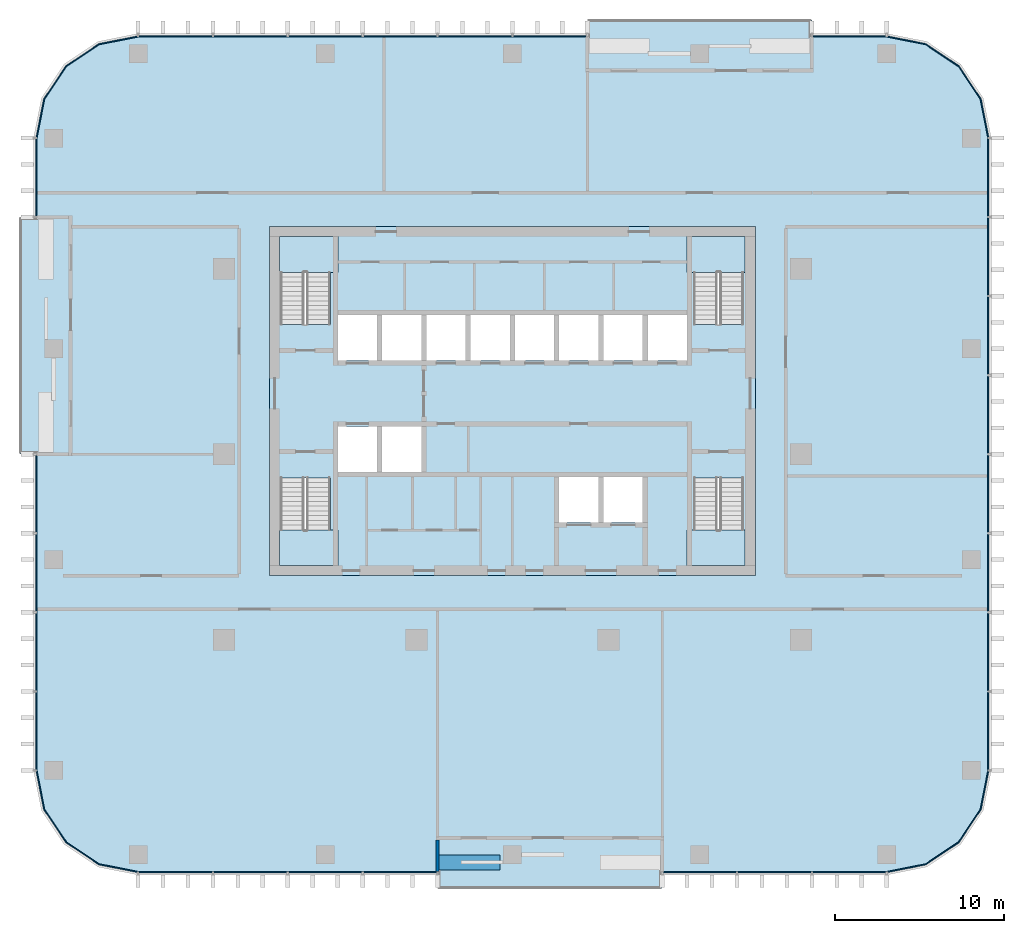
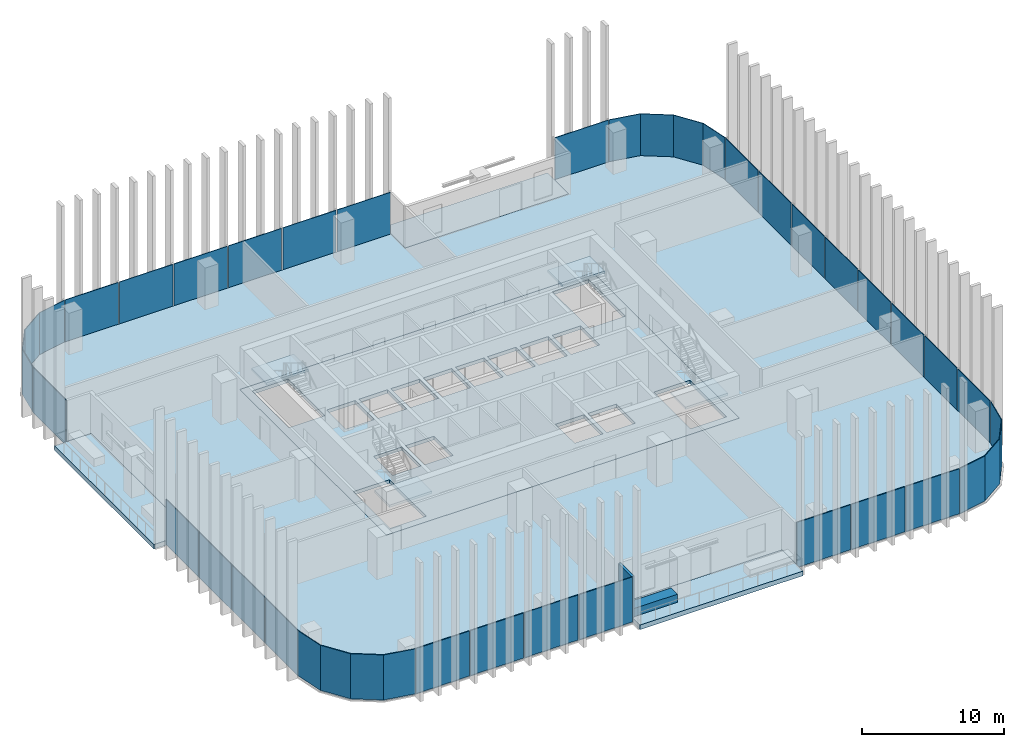
# One storey, part 6 of 16: 31 plates, 9 slabs, 2 walls, 15 elements without a shape of their own.
"""IFC4 building model written with IfcOpenShell, lengths in metres."""

from ifc_helpers import new_model, si_unit, direction, frame, frame_2d, origin, origin_2d, place, context, subcontext, project, spatial, polyline, rectangle, outline, extrude, material, layer, layer_set, type_object, element, aggregate, save


model = new_model("IFC4")

# Units and contexts
model_context = context("Model", 3, precision=1e-05, world=origin(), true_north=direction((0.0, 1.0)))
body_context = subcontext(model_context, "Body", "Model", "MODEL_VIEW")
ifc_project = project(units=[si_unit("LENGTHUNIT", "METRE"), si_unit("AREAUNIT", "SQUARE_METRE"), si_unit("VOLUMEUNIT", "CUBIC_METRE"), si_unit("PLANEANGLEUNIT", "RADIAN"), si_unit("MASSUNIT", "GRAM", prefix="KILO")], contexts=[model_context])

# Site, building, storey
site_placement = place(None, origin())
site = spatial("IfcSite", under=ifc_project, at=site_placement, CompositionType="ELEMENT")
building_placement = place(site_placement, origin())
building = spatial("IfcBuilding", under=site, at=building_placement, Name="Mopane Tessera Tower", CompositionType="ELEMENT")
storey_placement = place(building_placement, frame((0.0, 0.0, 235.0)))
storey = spatial("IfcBuildingStorey", under=building, at=storey_placement, Name="L50", CompositionType="ELEMENT", Elevation=235.0)

# Slab
ifc_material_1 = material(Name="Concrete C40/50", Category="concrete")
ifc_layer_1 = layer(ifc_material_1, 0.300048828125)
ifc_layer_set_1 = layer_set([ifc_layer_1], Name="Concrete C40/50")
slab_type_1 = type_object("IfcSlabType", Name="Core floor slab 300 mm", PredefinedType="FLOOR", material=ifc_layer_set_1)
slab_1_placement = place(storey_placement, frame((0.0, 0.0, -0.300048828125)))
element("IfcSlab", 1, at=slab_1_placement, inside=storey, type_object=slab_type_1, Name="L50 core floor slab", PredefinedType="FLOOR", context=body_context, shape_type="SweptSolid", body=[
    extrude(outline(polyline([(-14.39990234375, -7.199951171875), (14.39990234375, -7.199951171875), (14.39990234375, 13.5), (-14.39990234375, 13.5), (-14.39990234375, -7.199951171875)]), holes=[polyline([(-10.35009765625, -1.050048828125), (-8.02490234375, -1.050048828125), (-8.02490234375, 1.64990234375), (-10.35009765625, 1.64990234375), (-10.35009765625, -1.050048828125)]), polyline([(-7.72509765625, -1.050048828125), (-5.39990234375, -1.050048828125), (-5.39990234375, 1.64990234375), (-7.72509765625, 1.64990234375), (-7.72509765625, -1.050048828125)]), polyline([(-10.35009765625, 5.550048828125), (-8.02490234375, 5.550048828125), (-8.02490234375, 8.25), (-10.35009765625, 8.25), (-10.35009765625, 5.550048828125)]), polyline([(-7.72509765625, 5.550048828125), (-5.39990234375, 5.550048828125), (-5.39990234375, 8.25), (-7.72509765625, 8.25), (-7.72509765625, 5.550048828125)]), polyline([(-5.10009765625, 5.550048828125), (-2.77490234375, 5.550048828125), (-2.77490234375, 8.25), (-5.10009765625, 8.25), (-5.10009765625, 5.550048828125)]), polyline([(-2.47509765625, 5.550048828125), (-0.14990234375, 5.550048828125), (-0.14990234375, 8.25), (-2.47509765625, 8.25), (-2.47509765625, 5.550048828125)]), polyline([(0.14990234375, 5.550048828125), (2.47509765625, 5.550048828125), (2.47509765625, 8.25), (0.14990234375, 8.25), (0.14990234375, 5.550048828125)]), polyline([(2.77490234375, 5.550048828125), (5.10009765625, 5.550048828125), (5.10009765625, 8.25), (2.77490234375, 8.25), (2.77490234375, 5.550048828125)]), polyline([(5.39990234375, 5.550048828125), (7.72509765625, 5.550048828125), (7.72509765625, 8.25), (5.39990234375, 8.25), (5.39990234375, 5.550048828125)]), polyline([(8.02490234375, 5.550048828125), (10.35009765625, 5.550048828125), (10.35009765625, 8.25), (8.02490234375, 8.25), (8.02490234375, 5.550048828125)]), polyline([(2.77490234375, -4.050048828125), (5.10009765625, -4.050048828125), (5.10009765625, -1.35009765625), (2.77490234375, -1.35009765625), (2.77490234375, -4.050048828125)]), polyline([(5.39990234375, -4.050048828125), (7.72509765625, -4.050048828125), (7.72509765625, -1.35009765625), (5.39990234375, -1.35009765625), (5.39990234375, -4.050048828125)]), polyline([(-13.75, -1.405029296875), (-13.75, -6.60009765625), (-10.800048828125, -6.60009765625), (-10.800048828125, -1.405029296875), (-13.75, -1.405029296875)]), polyline([(-10.800048828125, 7.705078125), (-10.800048828125, 12.89990234375), (-13.75, 12.89990234375), (-13.75, 7.705078125), (-10.800048828125, 7.705078125)]), polyline([(10.75, -1.405029296875), (10.75, -6.60009765625), (13.699951171875, -6.60009765625), (13.699951171875, -1.405029296875), (10.75, -1.405029296875)]), polyline([(13.699951171875, 7.705078125), (13.699951171875, 12.89990234375), (10.75, 12.89990234375), (10.75, 7.705078125), (13.699951171875, 7.705078125)])]), origin(), (0.0, 0.0, 1.0), 0.300048828125),
])

# Stair, slab
ifc_material_2 = material(Name="Concrete C50/60", Category="concrete")
stair_type = type_object("IfcStairType", Name="Escape stair 1400 mm, riser 167 mm", PredefinedType="HALF_TURN_STAIR", material=ifc_material_2)
stair_1_placement = place(storey_placement, origin())
stair_1 = element("IfcStair", 2, at=stair_1_placement, inside=storey, type_object=stair_type, Name="L50 Escape stair south-west", PredefinedType="HALF_TURN_STAIR")
ifc_material_3 = material(Name="Concrete C50/60", Category="concrete")
ifc_layer_2 = layer(ifc_material_3, 0.199951171875)
ifc_layer_set_2 = layer_set([ifc_layer_2], Name="Concrete C50/60")
slab_type_2 = type_object("IfcSlabType", Name="Escape stair landing 200 mm", PredefinedType="LANDING", material=ifc_layer_set_2)
slab_2_placement = place(storey_placement, frame((0.0, 0.0, 1.800048828125)))
slab_2 = element("IfcSlab", 3, at=slab_2_placement, type_object=slab_type_2, Name="ST1 landing 1", PredefinedType="LANDING", context=body_context, shape_type="SweptSolid", body=[
    extrude(outline(polyline([(-13.800048828125, -4.47998046875), (-13.800048828125, -6.60009765625), (-10.35009765625, -6.60009765625), (-10.35009765625, -4.47998046875), (-13.800048828125, -4.47998046875)])), origin(), (0.0, 0.0, 1.0), 0.199951171875),
])
aggregate(stair_1, [slab_2])

stair_2_placement = place(storey_placement, origin())
stair_2 = element("IfcStair", 4, at=stair_2_placement, inside=storey, type_object=stair_type, Name="L50 Escape stair north-west", PredefinedType="HALF_TURN_STAIR")
slab_3_placement = place(storey_placement, frame((0.0, 0.0, 1.800048828125)))
slab_3 = element("IfcSlab", 5, at=slab_3_placement, type_object=slab_type_2, Name="ST2 landing 1", PredefinedType="LANDING", context=body_context, shape_type="SweptSolid", body=[
    extrude(outline(polyline([(-10.35009765625, 10.780029296875), (-10.35009765625, 12.89990234375), (-13.800048828125, 12.89990234375), (-13.800048828125, 10.780029296875), (-10.35009765625, 10.780029296875)])), origin(), (0.0, 0.0, 1.0), 0.199951171875),
])
aggregate(stair_2, [slab_3])

stair_3_placement = place(storey_placement, origin())
stair_3 = element("IfcStair", 6, at=stair_3_placement, inside=storey, type_object=stair_type, Name="L50 Escape stair south-east", PredefinedType="HALF_TURN_STAIR")
slab_4_placement = place(storey_placement, frame((0.0, 0.0, 1.800048828125)))
slab_4 = element("IfcSlab", 7, at=slab_4_placement, type_object=slab_type_2, Name="ST3 landing 1", PredefinedType="LANDING", context=body_context, shape_type="SweptSolid", body=[
    extrude(outline(polyline([(10.35009765625, -4.47998046875), (10.35009765625, -6.60009765625), (13.800048828125, -6.60009765625), (13.800048828125, -4.47998046875), (10.35009765625, -4.47998046875)])), origin(), (0.0, 0.0, 1.0), 0.199951171875),
])
aggregate(stair_3, [slab_4])

stair_4_placement = place(storey_placement, origin())
stair_4 = element("IfcStair", 8, at=stair_4_placement, inside=storey, type_object=stair_type, Name="L50 Escape stair north-east", PredefinedType="HALF_TURN_STAIR")
slab_5_placement = place(storey_placement, frame((0.0, 0.0, 1.800048828125)))
slab_5 = element("IfcSlab", 9, at=slab_5_placement, type_object=slab_type_2, Name="ST4 landing 1", PredefinedType="LANDING", context=body_context, shape_type="SweptSolid", body=[
    extrude(outline(polyline([(13.800048828125, 10.780029296875), (13.800048828125, 12.89990234375), (10.35009765625, 12.89990234375), (10.35009765625, 10.780029296875), (13.800048828125, 10.780029296875)])), origin(), (0.0, 0.0, 1.0), 0.199951171875),
])
aggregate(stair_4, [slab_5])

# Slabs
ifc_material_4 = material(Name="Concrete C40/50", Category="concrete")
ifc_layer_3 = layer(ifc_material_4, 0.39990234375)
ifc_layer_set_3 = layer_set([ifc_layer_3], Name="Concrete C40/50")
slab_type_3 = type_object("IfcSlabType", Name="Planted terrace slab 400 mm", PredefinedType="FLOOR", material=ifc_layer_set_3)
slab_6_placement = place(storey_placement, frame((0.0, 0.0, -0.39990234375)))
element("IfcSlab", 10, at=slab_6_placement, inside=storey, type_object=slab_type_3, Name="Terrace slab N1 L50", PredefinedType="FLOOR", context=body_context, shape_type="SweptSolid", body=[
    extrude(outline(polyline([(8.8798828125, -25.75), (8.8798828125, -22.75), (-4.43994140625, -22.75), (-4.43994140625, -25.75), (8.8798828125, -25.75)])), origin(), (0.0, 0.0, 1.0), 0.39990234375),
])
slab_7_placement = place(storey_placement, frame((0.0, 0.0, -0.39990234375)))
element("IfcSlab", 11, at=slab_7_placement, inside=storey, type_object=slab_type_3, Name="Terrace slab N2 L50", PredefinedType="FLOOR", context=body_context, shape_type="SweptSolid", body=[
    extrude(outline(polyline([(4.43994140625, 25.75), (4.43994140625, 22.75), (17.760009765625, 22.75), (17.760009765625, 25.75), (4.43994140625, 25.75)])), origin(), (0.0, 0.0, 1.0), 0.39990234375),
])
slab_8_placement = place(storey_placement, frame((0.0, 0.0, -0.39990234375)))
element("IfcSlab", 12, at=slab_8_placement, inside=storey, type_object=slab_type_3, Name="Terrace slab N3 L50", PredefinedType="FLOOR", context=body_context, shape_type="SweptSolid", body=[
    extrude(outline(polyline([(-29.199951171875, 0.0), (-26.199951171875, 0.0), (-26.199951171875, 14.0625), (-29.199951171875, 14.0625), (-29.199951171875, 0.0)])), origin(), (0.0, 0.0, 1.0), 0.39990234375),
])
ifc_material_5 = material(Name="Concrete C40/50", Category="concrete")
ifc_layer_4 = layer(ifc_material_5, 0.39990234375)
ifc_layer_set_4 = layer_set([ifc_layer_4], Name="Concrete C40/50")
slab_type_4 = type_object("IfcSlabType", Name="Post-tensioned flat plate 400 mm", PredefinedType="FLOOR", material=ifc_layer_set_4)
slab_9_placement = place(storey_placement, frame((0.0, 0.0, -0.39990234375)))
element("IfcSlab", 13, at=slab_9_placement, inside=storey, type_object=slab_type_4, Name="Floor slab L50", PredefinedType="FLOOR", context=body_context, shape_type="SweptSolid", body=[
    extrude(outline(polyline([(-22.199951171875, -24.75), (-4.43994140625, -24.75), (-4.43994140625, -22.75), (8.8798828125, -22.75), (8.8798828125, -24.75), (22.199951171875, -24.75), (24.49609375, -24.293212890625), (26.442626953125, -22.99267578125), (27.7431640625, -21.046142578125), (28.199951171875, -18.75), (28.199951171875, 18.75), (27.7431640625, 21.046142578125), (26.442626953125, 22.99267578125), (24.49609375, 24.293212890625), (22.199951171875, 24.75), (17.760009765625, 24.75), (17.760009765625, 22.75), (4.43994140625, 22.75), (4.43994140625, 24.75), (-22.199951171875, 24.75), (-24.49609375, 24.293212890625), (-26.442626953125, 22.99267578125), (-27.7431640625, 21.046142578125), (-28.199951171875, 18.75), (-28.199951171875, 14.0625), (-26.199951171875, 14.0625), (-26.199951171875, 0.0), (-28.199951171875, 0.0), (-28.199951171875, -18.75), (-27.7431640625, -21.046142578125), (-26.442626953125, -22.99267578125), (-24.49609375, -24.293212890625), (-22.199951171875, -24.75)]), holes=[polyline([(14.39990234375, -7.199951171875), (-14.39990234375, -7.199951171875), (-14.39990234375, 13.5), (14.39990234375, 13.5), (14.39990234375, -7.199951171875)])]), origin(), (0.0, 0.0, 1.0), 0.39990234375),
])

# Curtain wall, plates
ifc_material_6 = material(Name="Aluminium frame", Category="aluminium")
curtain_wall_type = type_object("IfcCurtainWallType", Name="Unitised curtain wall", PredefinedType="NOTDEFINED", material=ifc_material_6)
curtain_wall_1_placement = place(storey_placement, origin())
curtain_wall_1 = element("IfcCurtainWall", 14, at=curtain_wall_1_placement, inside=storey, type_object=curtain_wall_type, Name="e:cw:L50:S:0", PredefinedType="NOTDEFINED")
ifc_material_7 = material(Name="Clear laminated glass", Category="glass")
ifc_layer_5 = layer(ifc_material_7, 0.06005859375)
ifc_layer_set_5 = layer_set([ifc_layer_5], Name="Clear laminated glass")
plate_type = type_object("IfcPlateType", Name="Unitised glazed unit", PredefinedType="CURTAIN_PANEL", material=ifc_layer_set_5)
plate_1_placement = place(storey_placement, frame((-19.97998046875, -24.780029296875, -0.280029296875), z_axis=(0.0, 0.0, 1.0), x_axis=(1.0, 0.0, 0.0)))
plate_1 = element("IfcPlate", 15, at=plate_1_placement, type_object=plate_type, Name="e:cw:L50:S:0:pn0", PredefinedType="CURTAIN_PANEL", context=body_context, shape_type="SweptSolid", body=[
    extrude(rectangle(XDim=4.340087890625, YDim=0.06005859375, at=origin_2d()), origin(), (0.0, 0.0, 1.0), 3.8798828125),
])
plate_2_placement = place(storey_placement, frame((-15.5400390625, -24.780029296875, -0.280029296875), z_axis=(0.0, 0.0, 1.0), x_axis=(1.0, 0.0, 0.0)))
plate_2 = element("IfcPlate", 16, at=plate_2_placement, type_object=plate_type, Name="e:cw:L50:S:0:pn1", PredefinedType="CURTAIN_PANEL", context=body_context, shape_type="SweptSolid", body=[
    extrude(rectangle(XDim=4.340087890625, YDim=0.06005859375, at=origin_2d()), origin(), (0.0, 0.0, 1.0), 3.8798828125),
])
plate_3_placement = place(storey_placement, frame((-11.10009765625, -24.780029296875, -0.280029296875), z_axis=(0.0, 0.0, 1.0), x_axis=(1.0, 0.0, 0.0)))
plate_3 = element("IfcPlate", 17, at=plate_3_placement, type_object=plate_type, Name="e:cw:L50:S:0:pn2", PredefinedType="CURTAIN_PANEL", context=body_context, shape_type="SweptSolid", body=[
    extrude(rectangle(XDim=4.340087890625, YDim=0.06005859375, at=origin_2d()), origin(), (0.0, 0.0, 1.0), 3.8798828125),
])
plate_4_placement = place(storey_placement, frame((-6.659912109375, -24.780029296875, -0.280029296875), z_axis=(0.0, 0.0, 1.0), x_axis=(1.0, 0.0, 0.0)))
plate_4 = element("IfcPlate", 18, at=plate_4_placement, type_object=plate_type, Name="e:cw:L50:S:0:pn3", PredefinedType="CURTAIN_PANEL", context=body_context, shape_type="SweptSolid", body=[
    extrude(rectangle(XDim=4.340087890625, YDim=0.06005859375, at=origin_2d()), origin(), (0.0, 0.0, 1.0), 3.8798828125),
])
aggregate(curtain_wall_1, [plate_1, plate_2, plate_3, plate_4])

curtain_wall_2_placement = place(storey_placement, origin())
curtain_wall_2 = element("IfcCurtainWall", 19, at=curtain_wall_2_placement, inside=storey, type_object=curtain_wall_type, Name="e:cw:L50:S:7", PredefinedType="NOTDEFINED")
plate_5_placement = place(storey_placement, frame((11.10009765625, -24.780029296875, -0.280029296875), z_axis=(0.0, 0.0, 1.0), x_axis=(1.0, 0.0, 0.0)))
plate_5 = element("IfcPlate", 20, at=plate_5_placement, type_object=plate_type, Name="e:cw:L50:S:7:pn7", PredefinedType="CURTAIN_PANEL", context=body_context, shape_type="SweptSolid", body=[
    extrude(rectangle(XDim=4.340087890625, YDim=0.06005859375, at=origin_2d()), origin(), (0.0, 0.0, 1.0), 3.8798828125),
])
plate_6_placement = place(storey_placement, frame((15.5400390625, -24.780029296875, -0.280029296875), z_axis=(0.0, 0.0, 1.0), x_axis=(1.0, 0.0, 0.0)))
plate_6 = element("IfcPlate", 21, at=plate_6_placement, type_object=plate_type, Name="e:cw:L50:S:7:pn8", PredefinedType="CURTAIN_PANEL", context=body_context, shape_type="SweptSolid", body=[
    extrude(rectangle(XDim=4.340087890625, YDim=0.06005859375, at=origin_2d()), origin(), (0.0, 0.0, 1.0), 3.8798828125),
])
plate_7_placement = place(storey_placement, frame((19.97998046875, -24.780029296875, -0.280029296875), z_axis=(0.0, 0.0, 1.0), x_axis=(1.0, 0.0, 0.0)))
plate_7 = element("IfcPlate", 22, at=plate_7_placement, type_object=plate_type, Name="e:cw:L50:S:7:pn9", PredefinedType="CURTAIN_PANEL", context=body_context, shape_type="SweptSolid", body=[
    extrude(rectangle(XDim=4.340087890625, YDim=0.06005859375, at=origin_2d()), origin(), (0.0, 0.0, 1.0), 3.8798828125),
])
aggregate(curtain_wall_2, [plate_5, plate_6, plate_7])

# Curtain wall, plate
curtain_wall_3_placement = place(storey_placement, origin())
curtain_wall_3 = element("IfcCurtainWall", 23, at=curtain_wall_3_placement, inside=storey, type_object=curtain_wall_type, Name="e:cw:L50:CS", PredefinedType="NOTDEFINED")
plate_8_placement = place(storey_placement, frame((0.0, 0.0, -0.280029296875)))
plate_8 = element("IfcPlate", 24, at=plate_8_placement, type_object=plate_type, Name="e:cw:L50:CS:pn", PredefinedType="CURTAIN_PANEL", context=body_context, shape_type="SweptSolid", body=[
    extrude(outline(polyline([(22.199951171875, -24.75), (24.49609375, -24.293212890625), (26.442626953125, -22.99267578125), (27.7431640625, -21.046142578125), (28.199951171875, -18.75), (28.260009765625, -18.75), (27.798828125, -21.069091796875), (26.485107421875, -23.03515625), (24.51904296875, -24.3486328125), (22.199951171875, -24.81005859375), (22.199951171875, -24.75)])), origin(), (0.0, 0.0, 1.0), 3.880126953125),
])
aggregate(curtain_wall_3, [plate_8])

# Curtain wall, plates
curtain_wall_4_placement = place(storey_placement, origin())
curtain_wall_4 = element("IfcCurtainWall", 25, at=curtain_wall_4_placement, inside=storey, type_object=curtain_wall_type, Name="e:cw:L50:E:0", PredefinedType="NOTDEFINED")
plate_9_placement = place(storey_placement, frame((28.22998046875, -16.40625, -0.280029296875), z_axis=(0.0, 0.0, 1.0), x_axis=(0.0, 1.0, 0.0)))
plate_9 = element("IfcPlate", 26, at=plate_9_placement, type_object=plate_type, Name="e:cw:L50:E:0:pn0", PredefinedType="CURTAIN_PANEL", context=body_context, shape_type="SweptSolid", body=[
    extrude(rectangle(XDim=4.58740234375, YDim=0.06005859375, at=origin_2d()), origin(), (0.0, 0.0, 1.0), 3.8798828125),
])
plate_10_placement = place(storey_placement, frame((28.22998046875, -11.71875, -0.280029296875), z_axis=(0.0, 0.0, 1.0), x_axis=(0.0, 1.0, 0.0)))
plate_10 = element("IfcPlate", 27, at=plate_10_placement, type_object=plate_type, Name="e:cw:L50:E:0:pn1", PredefinedType="CURTAIN_PANEL", context=body_context, shape_type="SweptSolid", body=[
    extrude(rectangle(XDim=4.58740234375, YDim=0.06005859375, at=origin_2d()), origin(), (0.0, 0.0, 1.0), 3.8798828125),
])
plate_11_placement = place(storey_placement, frame((28.22998046875, -7.03125, -0.280029296875), z_axis=(0.0, 0.0, 1.0), x_axis=(0.0, 1.0, 0.0)))
plate_11 = element("IfcPlate", 28, at=plate_11_placement, type_object=plate_type, Name="e:cw:L50:E:0:pn2", PredefinedType="CURTAIN_PANEL", context=body_context, shape_type="SweptSolid", body=[
    extrude(rectangle(XDim=4.58740234375, YDim=0.06005859375, at=origin_2d()), origin(), (0.0, 0.0, 1.0), 3.8798828125),
])
plate_12_placement = place(storey_placement, frame((28.22998046875, -2.34375, -0.280029296875), z_axis=(0.0, 0.0, 1.0), x_axis=(0.0, 1.0, 0.0)))
plate_12 = element("IfcPlate", 29, at=plate_12_placement, type_object=plate_type, Name="e:cw:L50:E:0:pn3", PredefinedType="CURTAIN_PANEL", context=body_context, shape_type="SweptSolid", body=[
    extrude(rectangle(XDim=4.58740234375, YDim=0.06005859375, at=origin_2d()), origin(), (0.0, 0.0, 1.0), 3.8798828125),
])
plate_13_placement = place(storey_placement, frame((28.22998046875, 2.34375, -0.280029296875), z_axis=(0.0, 0.0, 1.0), x_axis=(0.0, 1.0, 0.0)))
plate_13 = element("IfcPlate", 30, at=plate_13_placement, type_object=plate_type, Name="e:cw:L50:E:0:pn4", PredefinedType="CURTAIN_PANEL", context=body_context, shape_type="SweptSolid", body=[
    extrude(rectangle(XDim=4.58740234375, YDim=0.06005859375, at=origin_2d()), origin(), (0.0, 0.0, 1.0), 3.8798828125),
])
plate_14_placement = place(storey_placement, frame((28.22998046875, 7.03125, -0.280029296875), z_axis=(0.0, 0.0, 1.0), x_axis=(0.0, 1.0, 0.0)))
plate_14 = element("IfcPlate", 31, at=plate_14_placement, type_object=plate_type, Name="e:cw:L50:E:0:pn5", PredefinedType="CURTAIN_PANEL", context=body_context, shape_type="SweptSolid", body=[
    extrude(rectangle(XDim=4.58740234375, YDim=0.06005859375, at=origin_2d()), origin(), (0.0, 0.0, 1.0), 3.8798828125),
])
plate_15_placement = place(storey_placement, frame((28.22998046875, 11.71875, -0.280029296875), z_axis=(0.0, 0.0, 1.0), x_axis=(0.0, 1.0, 0.0)))
plate_15 = element("IfcPlate", 32, at=plate_15_placement, type_object=plate_type, Name="e:cw:L50:E:0:pn6", PredefinedType="CURTAIN_PANEL", context=body_context, shape_type="SweptSolid", body=[
    extrude(rectangle(XDim=4.58740234375, YDim=0.06005859375, at=origin_2d()), origin(), (0.0, 0.0, 1.0), 3.8798828125),
])
plate_16_placement = place(storey_placement, frame((28.22998046875, 16.40625, -0.280029296875), z_axis=(0.0, 0.0, 1.0), x_axis=(0.0, 1.0, 0.0)))
plate_16 = element("IfcPlate", 33, at=plate_16_placement, type_object=plate_type, Name="e:cw:L50:E:0:pn7", PredefinedType="CURTAIN_PANEL", context=body_context, shape_type="SweptSolid", body=[
    extrude(rectangle(XDim=4.58740234375, YDim=0.06005859375, at=origin_2d()), origin(), (0.0, 0.0, 1.0), 3.8798828125),
])
aggregate(curtain_wall_4, [plate_9, plate_10, plate_11, plate_12, plate_13, plate_14, plate_15, plate_16])

# Curtain wall, plate
curtain_wall_5_placement = place(storey_placement, origin())
curtain_wall_5 = element("IfcCurtainWall", 34, at=curtain_wall_5_placement, inside=storey, type_object=curtain_wall_type, Name="e:cw:L50:CE", PredefinedType="NOTDEFINED")
plate_17_placement = place(storey_placement, frame((0.0, 0.0, -0.280029296875)))
plate_17 = element("IfcPlate", 35, at=plate_17_placement, type_object=plate_type, Name="e:cw:L50:CE:pn", PredefinedType="CURTAIN_PANEL", context=body_context, shape_type="SweptSolid", body=[
    extrude(outline(polyline([(28.199951171875, 18.75), (27.7431640625, 21.046142578125), (26.442626953125, 22.99267578125), (24.49609375, 24.293212890625), (22.199951171875, 24.75), (22.199951171875, 24.81005859375), (24.51904296875, 24.3486328125), (26.485107421875, 23.03515625), (27.798828125, 21.069091796875), (28.260009765625, 18.75), (28.199951171875, 18.75)])), origin(), (0.0, 0.0, 1.0), 3.880126953125),
])
aggregate(curtain_wall_5, [plate_17])

curtain_wall_6_placement = place(storey_placement, origin())
curtain_wall_6 = element("IfcCurtainWall", 36, at=curtain_wall_6_placement, inside=storey, type_object=curtain_wall_type, Name="e:cw:L50:N:0", PredefinedType="NOTDEFINED")
plate_18_placement = place(storey_placement, frame((19.97998046875, 24.780029296875, -0.280029296875), z_axis=(0.0, 0.0, 1.0), x_axis=(-1.0, 0.0, 0.0)))
plate_18 = element("IfcPlate", 37, at=plate_18_placement, type_object=plate_type, Name="e:cw:L50:N:0:pn0", PredefinedType="CURTAIN_PANEL", context=body_context, shape_type="SweptSolid", body=[
    extrude(rectangle(XDim=4.340087890625, YDim=0.06005859375, at=origin_2d()), origin(), (0.0, 0.0, 1.0), 3.8798828125),
])
aggregate(curtain_wall_6, [plate_18])

# Curtain wall, plates
curtain_wall_7_placement = place(storey_placement, origin())
curtain_wall_7 = element("IfcCurtainWall", 38, at=curtain_wall_7_placement, inside=storey, type_object=curtain_wall_type, Name="e:cw:L50:N:4", PredefinedType="NOTDEFINED")
plate_19_placement = place(storey_placement, frame((2.219970703125, 24.780029296875, -0.280029296875), z_axis=(0.0, 0.0, 1.0), x_axis=(-1.0, 0.0, 0.0)))
plate_19 = element("IfcPlate", 39, at=plate_19_placement, type_object=plate_type, Name="e:cw:L50:N:4:pn4", PredefinedType="CURTAIN_PANEL", context=body_context, shape_type="SweptSolid", body=[
    extrude(rectangle(XDim=4.340087890625, YDim=0.06005859375, at=origin_2d()), origin(), (0.0, 0.0, 1.0), 3.8798828125),
])
plate_20_placement = place(storey_placement, frame((-2.219970703125, 24.780029296875, -0.280029296875), z_axis=(0.0, 0.0, 1.0), x_axis=(-1.0, 0.0, 0.0)))
plate_20 = element("IfcPlate", 40, at=plate_20_placement, type_object=plate_type, Name="e:cw:L50:N:4:pn5", PredefinedType="CURTAIN_PANEL", context=body_context, shape_type="SweptSolid", body=[
    extrude(rectangle(XDim=4.340087890625, YDim=0.06005859375, at=origin_2d()), origin(), (0.0, 0.0, 1.0), 3.8798828125),
])
plate_21_placement = place(storey_placement, frame((-6.659912109375, 24.780029296875, -0.280029296875), z_axis=(0.0, 0.0, 1.0), x_axis=(-1.0, 0.0, 0.0)))
plate_21 = element("IfcPlate", 41, at=plate_21_placement, type_object=plate_type, Name="e:cw:L50:N:4:pn6", PredefinedType="CURTAIN_PANEL", context=body_context, shape_type="SweptSolid", body=[
    extrude(rectangle(XDim=4.340087890625, YDim=0.06005859375, at=origin_2d()), origin(), (0.0, 0.0, 1.0), 3.8798828125),
])
plate_22_placement = place(storey_placement, frame((-11.10009765625, 24.780029296875, -0.280029296875), z_axis=(0.0, 0.0, 1.0), x_axis=(-1.0, 0.0, 0.0)))
plate_22 = element("IfcPlate", 42, at=plate_22_placement, type_object=plate_type, Name="e:cw:L50:N:4:pn7", PredefinedType="CURTAIN_PANEL", context=body_context, shape_type="SweptSolid", body=[
    extrude(rectangle(XDim=4.340087890625, YDim=0.06005859375, at=origin_2d()), origin(), (0.0, 0.0, 1.0), 3.8798828125),
])
plate_23_placement = place(storey_placement, frame((-15.5400390625, 24.780029296875, -0.280029296875), z_axis=(0.0, 0.0, 1.0), x_axis=(-1.0, 0.0, 0.0)))
plate_23 = element("IfcPlate", 43, at=plate_23_placement, type_object=plate_type, Name="e:cw:L50:N:4:pn8", PredefinedType="CURTAIN_PANEL", context=body_context, shape_type="SweptSolid", body=[
    extrude(rectangle(XDim=4.340087890625, YDim=0.06005859375, at=origin_2d()), origin(), (0.0, 0.0, 1.0), 3.8798828125),
])
plate_24_placement = place(storey_placement, frame((-19.97998046875, 24.780029296875, -0.280029296875), z_axis=(0.0, 0.0, 1.0), x_axis=(-1.0, 0.0, 0.0)))
plate_24 = element("IfcPlate", 44, at=plate_24_placement, type_object=plate_type, Name="e:cw:L50:N:4:pn9", PredefinedType="CURTAIN_PANEL", context=body_context, shape_type="SweptSolid", body=[
    extrude(rectangle(XDim=4.340087890625, YDim=0.06005859375, at=origin_2d()), origin(), (0.0, 0.0, 1.0), 3.8798828125),
])
aggregate(curtain_wall_7, [plate_19, plate_20, plate_21, plate_22, plate_23, plate_24])

# Curtain wall, plate
curtain_wall_8_placement = place(storey_placement, origin())
curtain_wall_8 = element("IfcCurtainWall", 45, at=curtain_wall_8_placement, inside=storey, type_object=curtain_wall_type, Name="e:cw:L50:CN", PredefinedType="NOTDEFINED")
plate_25_placement = place(storey_placement, frame((0.0, 0.0, -0.280029296875)))
plate_25 = element("IfcPlate", 46, at=plate_25_placement, type_object=plate_type, Name="e:cw:L50:CN:pn", PredefinedType="CURTAIN_PANEL", context=body_context, shape_type="SweptSolid", body=[
    extrude(outline(polyline([(-22.199951171875, 24.75), (-24.49609375, 24.293212890625), (-26.442626953125, 22.99267578125), (-27.7431640625, 21.046142578125), (-28.199951171875, 18.75), (-28.260009765625, 18.75), (-27.798828125, 21.069091796875), (-26.485107421875, 23.03515625), (-24.51904296875, 24.3486328125), (-22.199951171875, 24.81005859375), (-22.199951171875, 24.75)])), origin(), (0.0, 0.0, 1.0), 3.880126953125),
])
aggregate(curtain_wall_8, [plate_25])

curtain_wall_9_placement = place(storey_placement, origin())
curtain_wall_9 = element("IfcCurtainWall", 47, at=curtain_wall_9_placement, inside=storey, type_object=curtain_wall_type, Name="e:cw:L50:W:0", PredefinedType="NOTDEFINED")
plate_26_placement = place(storey_placement, frame((-28.22998046875, 16.40625, -0.280029296875), z_axis=(0.0, 0.0, 1.0), x_axis=(0.0, -1.0, 0.0)))
plate_26 = element("IfcPlate", 48, at=plate_26_placement, type_object=plate_type, Name="e:cw:L50:W:0:pn0", PredefinedType="CURTAIN_PANEL", context=body_context, shape_type="SweptSolid", body=[
    extrude(rectangle(XDim=4.58740234375, YDim=0.06005859375, at=origin_2d()), origin(), (0.0, 0.0, 1.0), 3.8798828125),
])
aggregate(curtain_wall_9, [plate_26])

# Curtain wall, plates
curtain_wall_10_placement = place(storey_placement, origin())
curtain_wall_10 = element("IfcCurtainWall", 49, at=curtain_wall_10_placement, inside=storey, type_object=curtain_wall_type, Name="e:cw:L50:W:4", PredefinedType="NOTDEFINED")
plate_27_placement = place(storey_placement, frame((-28.22998046875, -2.34375, -0.280029296875), z_axis=(0.0, 0.0, 1.0), x_axis=(0.0, -1.0, 0.0)))
plate_27 = element("IfcPlate", 50, at=plate_27_placement, type_object=plate_type, Name="e:cw:L50:W:4:pn4", PredefinedType="CURTAIN_PANEL", context=body_context, shape_type="SweptSolid", body=[
    extrude(rectangle(XDim=4.58740234375, YDim=0.06005859375, at=origin_2d()), origin(), (0.0, 0.0, 1.0), 3.8798828125),
])
plate_28_placement = place(storey_placement, frame((-28.22998046875, -7.03125, -0.280029296875), z_axis=(0.0, 0.0, 1.0), x_axis=(0.0, -1.0, 0.0)))
plate_28 = element("IfcPlate", 51, at=plate_28_placement, type_object=plate_type, Name="e:cw:L50:W:4:pn5", PredefinedType="CURTAIN_PANEL", context=body_context, shape_type="SweptSolid", body=[
    extrude(rectangle(XDim=4.58740234375, YDim=0.06005859375, at=origin_2d()), origin(), (0.0, 0.0, 1.0), 3.8798828125),
])
plate_29_placement = place(storey_placement, frame((-28.22998046875, -11.71875, -0.280029296875), z_axis=(0.0, 0.0, 1.0), x_axis=(0.0, -1.0, 0.0)))
plate_29 = element("IfcPlate", 52, at=plate_29_placement, type_object=plate_type, Name="e:cw:L50:W:4:pn6", PredefinedType="CURTAIN_PANEL", context=body_context, shape_type="SweptSolid", body=[
    extrude(rectangle(XDim=4.58740234375, YDim=0.06005859375, at=origin_2d()), origin(), (0.0, 0.0, 1.0), 3.8798828125),
])
plate_30_placement = place(storey_placement, frame((-28.22998046875, -16.40625, -0.280029296875), z_axis=(0.0, 0.0, 1.0), x_axis=(0.0, -1.0, 0.0)))
plate_30 = element("IfcPlate", 53, at=plate_30_placement, type_object=plate_type, Name="e:cw:L50:W:4:pn7", PredefinedType="CURTAIN_PANEL", context=body_context, shape_type="SweptSolid", body=[
    extrude(rectangle(XDim=4.58740234375, YDim=0.06005859375, at=origin_2d()), origin(), (0.0, 0.0, 1.0), 3.8798828125),
])
aggregate(curtain_wall_10, [plate_27, plate_28, plate_29, plate_30])

# Curtain wall, plate
curtain_wall_11_placement = place(storey_placement, origin())
curtain_wall_11 = element("IfcCurtainWall", 54, at=curtain_wall_11_placement, inside=storey, type_object=curtain_wall_type, Name="e:cw:L50:CW", PredefinedType="NOTDEFINED")
plate_31_placement = place(storey_placement, frame((0.0, 0.0, -0.280029296875)))
plate_31 = element("IfcPlate", 55, at=plate_31_placement, type_object=plate_type, Name="e:cw:L50:CW:pn", PredefinedType="CURTAIN_PANEL", context=body_context, shape_type="SweptSolid", body=[
    extrude(outline(polyline([(-28.199951171875, -18.75), (-27.7431640625, -21.046142578125), (-26.442626953125, -22.99267578125), (-24.49609375, -24.293212890625), (-22.199951171875, -24.75), (-22.199951171875, -24.81005859375), (-24.51904296875, -24.3486328125), (-26.485107421875, -23.03515625), (-27.798828125, -21.069091796875), (-28.260009765625, -18.75), (-28.199951171875, -18.75)])), origin(), (0.0, 0.0, 1.0), 3.880126953125),
])
aggregate(curtain_wall_11, [plate_31])

# Walls
ifc_material_8 = material(Name="Reinforced concrete C32/40 with waterproofing", Category="concrete")
ifc_layer_6 = layer(ifc_material_8, 0.89990234375)
ifc_layer_set_6 = layer_set([ifc_layer_6], Name="Reinforced concrete C32/40 with waterproofing")
wall_type_1 = type_object("IfcWallType", Name="Planter trough 3600 x 900", PredefinedType="STANDARD", material=ifc_layer_set_6)
wall_1_placement = place(storey_placement, frame((-4.340087890625, -24.199951171875, 0.0), z_axis=(0.0, 0.0, 1.0), x_axis=(1.0, 0.0, 0.0)))
element("IfcWall", 56, at=wall_1_placement, inside=storey, type_object=wall_type_1, Name="e:nw:L50:N1:pl0", PredefinedType="STANDARD", context=body_context, shape_type="SweptSolid", body=[
    extrude(rectangle(XDim=3.60009765625, YDim=0.89990234375, at=frame_2d((1.800048828125, 0.0))), origin(), (0.0, 0.0, 1.0), 0.699951171875),
])
ifc_material_9 = material(Name="Blockwork with glazed tile facing", Category="masonry")
ifc_layer_7 = layer(ifc_material_9, 0.199951171875)
ifc_layer_set_7 = layer_set([ifc_layer_7], Name="Blockwork with glazed tile facing")
wall_type_2 = type_object("IfcWallType", Name="Terrace cheek wall 200", PredefinedType="STANDARD", material=ifc_layer_set_7)
wall_2_placement = place(storey_placement, frame((-4.43994140625, -24.75, 0.0), z_axis=(0.0, 0.0, 1.0), x_axis=(0.0, 1.0, 0.0)))
element("IfcWall", 57, at=wall_2_placement, inside=storey, type_object=wall_type_2, Name="e:nw:L50:N1:cheeka", PredefinedType="STANDARD", context=body_context, shape_type="SweptSolid", body=[
    extrude(rectangle(XDim=1.875, YDim=0.199951171875, at=frame_2d((0.9375, 0.0))), origin(), (0.0, 0.0, 1.0), 3.60009765625),
])

save(model, "model.ifc")
